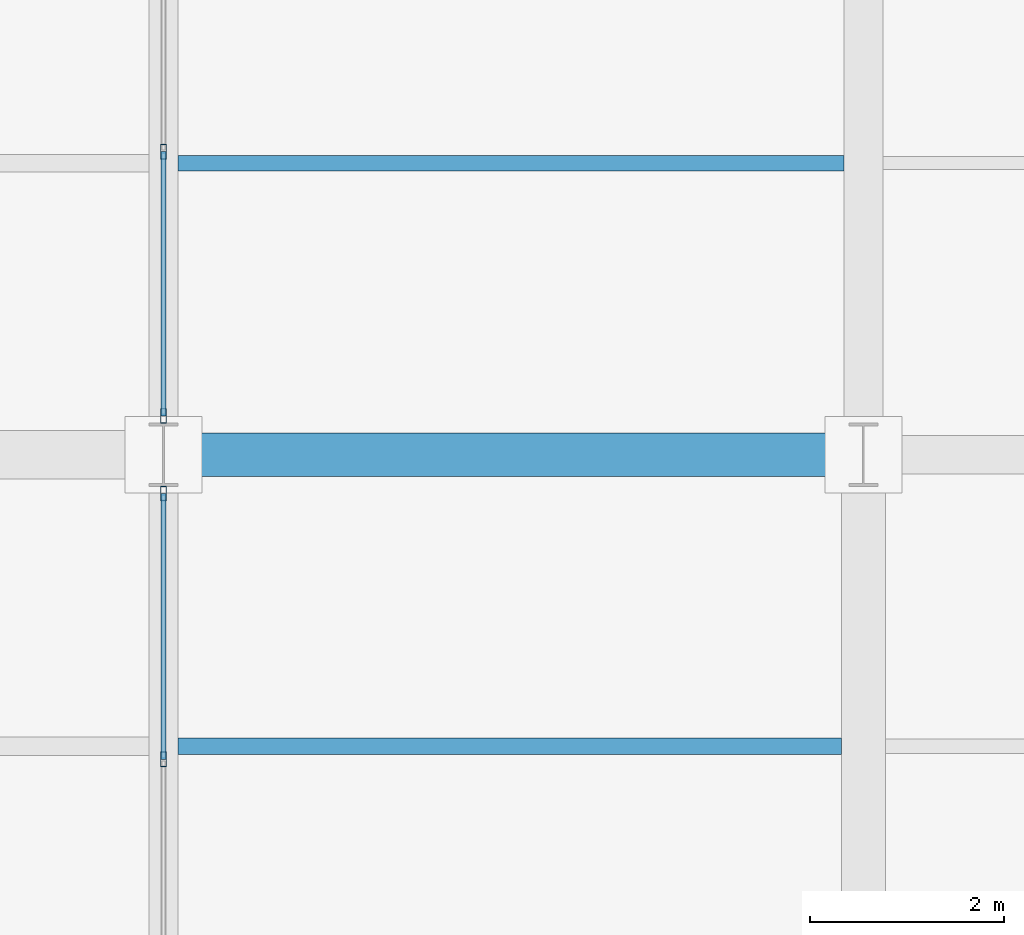
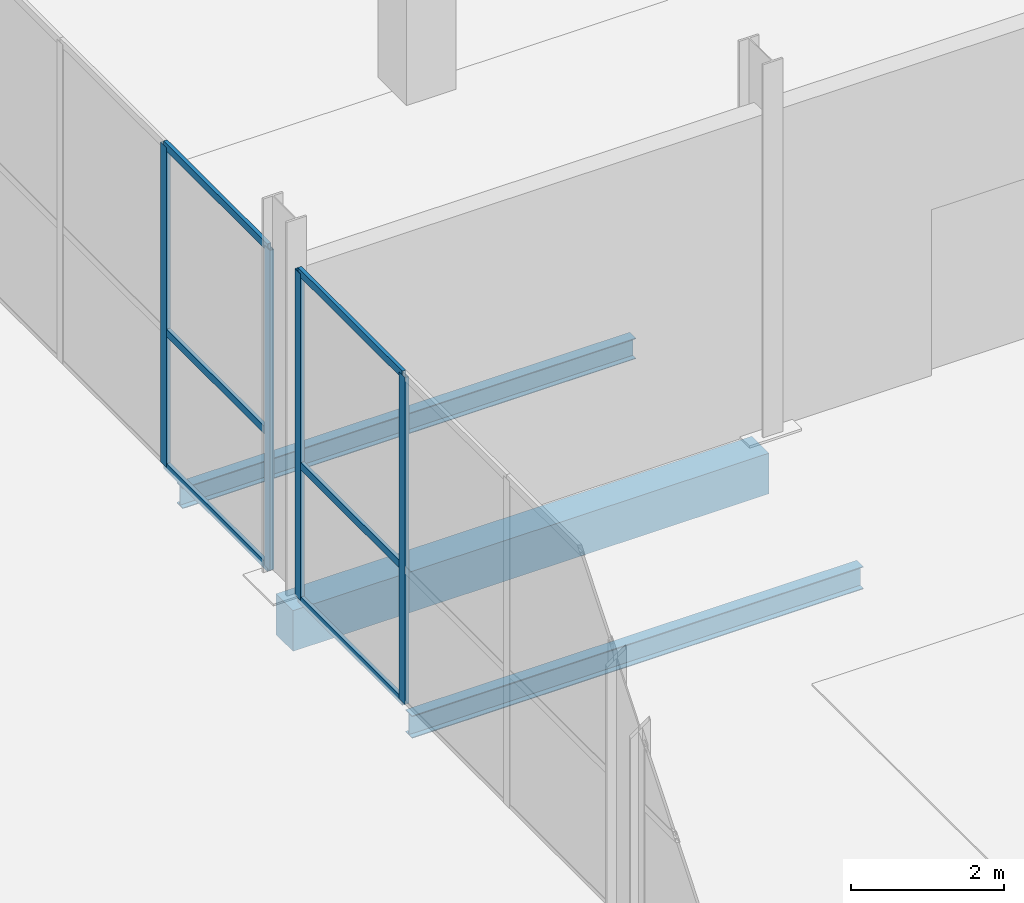
# One storey, part 50 of 144: 10 members, 3 beams, 2 elements without a shape of their own.
"""IFC4 building model written with IfcOpenShell, lengths in metres."""

from ifc_helpers import new_model, si_unit, direction, frame, origin, origin_2d, place, context, subcontext, project, spatial, rectangle, hollow_rectangle, i_section, extrude, material, layer, layer_set, material_profile, profile_set, type_object, element, aggregate, save


model = new_model("IFC4")

# Units and contexts
model_context = context("Model", 3, precision=1e-05, world=origin(), true_north=direction((0.0, 1.0)))
body_context = subcontext(model_context, "Body", "Model", "MODEL_VIEW")
ifc_project = project(units=[si_unit("LENGTHUNIT", "METRE"), si_unit("AREAUNIT", "SQUARE_METRE"), si_unit("VOLUMEUNIT", "CUBIC_METRE"), si_unit("PLANEANGLEUNIT", "RADIAN"), si_unit("MASSUNIT", "GRAM", prefix="KILO")], contexts=[model_context])

# Site, building, storey
site_placement = place(None, origin())
site = spatial("IfcSite", under=ifc_project, at=site_placement, CompositionType="ELEMENT")
building_placement = place(site_placement, origin())
building = spatial("IfcBuilding", under=site, at=building_placement, Name="Sundgate Opera House", CompositionType="ELEMENT")
storey_placement = place(building_placement, origin())
storey = spatial("IfcBuildingStorey", under=building, at=storey_placement, Name="L00", CompositionType="ELEMENT", Elevation=0.0)

# Beams
ifc_material_1 = material(Name="Steel S355J2", Category="steel")
ifc_material_profile_1 = material_profile(ifc_material_1, i_section(OverallWidth=0.159912109375, OverallDepth=0.330078125, WebThickness=0.007568359375, FlangeThickness=0.011474609375, at=origin_2d()), Name="IPE 330")
ifc_profile_set_1 = profile_set([ifc_material_profile_1], Name="Steel S355J2")
beam_type_1 = type_object("IfcBeamType", Name="BM-JS-IPE330", PredefinedType="JOIST", material=ifc_profile_set_1)
beam_1_placement = place(storey_placement, frame((95.550048828125, 63.0, -0.485107421875), z_axis=(1.0, 0.0, 0.0), x_axis=(0.0, 1.0, 0.0)))
element("IfcBeam", 1, at=beam_1_placement, inside=storey, type_object=beam_type_1, Name="L00 Secondary Floor Joist B0822", PredefinedType="JOIST", context=body_context, shape_type="SweptSolid", body=[
    extrude(i_section(OverallWidth=0.159912109375, OverallDepth=0.330078125, WebThickness=0.007568359375, FlangeThickness=0.011474609375, at=origin_2d()), origin(), (0.0, 0.0, 1.0), 6.849853515625),
])
ifc_material_2 = material(Name="Steel S355J2", Category="steel")
ifc_material_profile_2 = material_profile(ifc_material_2, i_section(OverallWidth=0.169921875, OverallDepth=0.360107421875, WebThickness=0.008056640625, FlangeThickness=0.0126953125, at=origin_2d()), Name="IPE 360")
ifc_profile_set_2 = profile_set([ifc_material_profile_2], Name="Steel S355J2")
beam_type_2 = type_object("IfcBeamType", Name="BM-JS-IPE360", PredefinedType="JOIST", material=ifc_profile_set_2)
beam_2_placement = place(storey_placement, frame((95.550048828125, 57.0, -0.5), z_axis=(1.0, 0.0, 0.0), x_axis=(0.0, 1.0, 0.0)))
element("IfcBeam", 2, at=beam_2_placement, inside=storey, type_object=beam_type_2, Name="L00 Secondary Floor Joist B0793", PredefinedType="JOIST", context=body_context, shape_type="SweptSolid", body=[
    extrude(i_section(OverallWidth=0.169921875, OverallDepth=0.360107421875, WebThickness=0.008056640625, FlangeThickness=0.0126953125, at=origin_2d()), origin(), (0.0, 0.0, 1.0), 6.824951171875),
])
ifc_material_3 = material(Name="Concrete C35/45", Category="concrete")
ifc_material_profile_3 = material_profile(ifc_material_3, rectangle(XDim=0.449951171875, YDim=0.64990234375, at=origin_2d()), Name="RC 450x650")
ifc_profile_set_3 = profile_set([ifc_material_profile_3], Name="Concrete C35/45")
beam_type_3 = type_object("IfcBeamType", Name="BM-RC-450x650", PredefinedType="BEAM", material=ifc_profile_set_3)
beam_3_placement = place(storey_placement, frame((95.39990234375, 60.0, -0.64501953125), z_axis=(1.0, 0.0, 0.0), x_axis=(0.0, 1.0, 0.0)))
element("IfcBeam", 3, at=beam_3_placement, inside=storey, type_object=beam_type_3, Name="L00 Primary E-W Girder B0451", PredefinedType="BEAM", context=body_context, shape_type="SweptSolid", body=[
    extrude(rectangle(XDim=0.449951171875, YDim=0.64990234375, at=origin_2d()), origin(), (0.0, 0.0, 1.0), 7.2001953125),
])

# Curtain wall, members
ifc_material_4 = material(Name="Anodized aluminium and low-iron glass", Category="aluminium")
ifc_layer = layer(ifc_material_4, 0.159912109375)
ifc_layer_set = layer_set([ifc_layer], Name="Anodized aluminium and low-iron glass")
curtain_wall_type = type_object("IfcCurtainWallType", Name="CW-STUDIO-DARK", PredefinedType="NOTDEFINED", material=ifc_layer_set)
curtain_wall_1_placement = place(storey_placement, origin())
curtain_wall_1 = element("IfcCurtainWall", 4, at=curtain_wall_1_placement, inside=storey, type_object=curtain_wall_type, Name="L00 Curtain Wall CW030", PredefinedType="NOTDEFINED")
ifc_material_5 = material(Name="Anodized aluminium EN AW-6063", Category="aluminium")
ifc_material_profile_4 = material_profile(ifc_material_5, hollow_rectangle(XDim=0.06005859375, YDim=0.14990234375, WallThickness=0.00390625, at=origin_2d()), Name="CWM 150x60x4")
ifc_profile_set_4 = profile_set([ifc_material_profile_4], Name="Anodized aluminium EN AW-6063")
member_type_1 = type_object("IfcMemberType", Name="CWM-ALU-150x60", PredefinedType="MULLION", material=ifc_profile_set_4)
member_1_placement = place(storey_placement, frame((95.39990234375, 59.60009765625, 0.0), z_axis=(0.0, 0.0, 1.0), x_axis=(1.0, 0.0, 0.0)))
member_1 = element("IfcMember", 5, at=member_1_placement, type_object=member_type_1, Name="CW030 Mullion 1", PredefinedType="MULLION", context=body_context, shape_type="SweptSolid", body=[
    extrude(hollow_rectangle(XDim=0.06005859375, YDim=0.14990234375, WallThickness=0.00390625, at=origin_2d()), origin(), (0.0, 0.0, 1.0), 5.22509765625),
])
member_2_placement = place(storey_placement, frame((95.39990234375, 56.86669921875, 0.0), z_axis=(0.0, 0.0, 1.0), x_axis=(1.0, 0.0, 0.0)))
member_2 = element("IfcMember", 6, at=member_2_placement, type_object=member_type_1, Name="CW030 Mullion 2", PredefinedType="MULLION", context=body_context, shape_type="SweptSolid", body=[
    extrude(hollow_rectangle(XDim=0.06005859375, YDim=0.14990234375, WallThickness=0.00390625, at=origin_2d()), origin(), (0.0, 0.0, 1.0), 5.22509765625),
])

curtain_wall_2_placement = place(storey_placement, origin())
curtain_wall_2 = element("IfcCurtainWall", 7, at=curtain_wall_2_placement, inside=storey, type_object=curtain_wall_type, Name="L00 Curtain Wall CW032", PredefinedType="NOTDEFINED")
member_3_placement = place(storey_placement, frame((95.39990234375, 63.11669921875, 0.0), z_axis=(0.0, 0.0, 1.0), x_axis=(1.0, 0.0, 0.0)))
member_3 = element("IfcMember", 8, at=member_3_placement, type_object=member_type_1, Name="CW032 Mullion 3", PredefinedType="MULLION", context=body_context, shape_type="SweptSolid", body=[
    extrude(hollow_rectangle(XDim=0.06005859375, YDim=0.14990234375, WallThickness=0.00390625, at=origin_2d()), origin(), (0.0, 0.0, 1.0), 5.114990234375),
])
member_4_placement = place(storey_placement, frame((95.39990234375, 60.39990234375, 0.0), z_axis=(0.0, 0.0, 1.0), x_axis=(1.0, 0.0, 0.0)))
member_4 = element("IfcMember", 9, at=member_4_placement, type_object=member_type_1, Name="CW032 Mullion 4", PredefinedType="MULLION", context=body_context, shape_type="SweptSolid", body=[
    extrude(hollow_rectangle(XDim=0.06005859375, YDim=0.14990234375, WallThickness=0.00390625, at=origin_2d()), origin(), (0.0, 0.0, 1.0), 5.114990234375),
])

# Member
ifc_material_6 = material(Name="Anodized aluminium EN AW-6063", Category="aluminium")
ifc_material_profile_5 = material_profile(ifc_material_6, hollow_rectangle(XDim=0.054931640625, YDim=0.1201171875, WallThickness=0.00390625, at=origin_2d()), Name="CWT 120x55x4")
ifc_profile_set_5 = profile_set([ifc_material_profile_5], Name="Anodized aluminium EN AW-6063")
member_type_2 = type_object("IfcMemberType", Name="CWT-ALU-120x55", PredefinedType="USERDEFINED", material=ifc_profile_set_5)
member_5_placement = place(storey_placement, frame((95.39990234375, 59.60009765625, 0.0), z_axis=(0.0, -1.0, 0.0), x_axis=(1.0, 0.0, 0.0)))
member_5 = element("IfcMember", 10, at=member_5_placement, type_object=member_type_2, Name="CW030 Transom 1", ObjectType="TRANSOM", PredefinedType="USERDEFINED", context=body_context, shape_type="SweptSolid", body=[
    extrude(hollow_rectangle(XDim=0.054931640625, YDim=0.1201171875, WallThickness=0.00390625, at=origin_2d()), origin(), (0.0, 0.0, 1.0), 2.7333984375),
])

member_6_placement = place(storey_placement, frame((95.39990234375, 59.60009765625, 2.14990234375), z_axis=(0.0, -1.0, 0.0), x_axis=(1.0, 0.0, 0.0)))
member_6 = element("IfcMember", 11, at=member_6_placement, type_object=member_type_2, Name="CW030 Transom 2", ObjectType="TRANSOM", PredefinedType="USERDEFINED", context=body_context, shape_type="SweptSolid", body=[
    extrude(hollow_rectangle(XDim=0.054931640625, YDim=0.1201171875, WallThickness=0.00390625, at=origin_2d()), origin(), (0.0, 0.0, 1.0), 2.7333984375),
])

member_7_placement = place(storey_placement, frame((95.39990234375, 59.60009765625, 5.22509765625), z_axis=(0.0, -1.0, 0.0), x_axis=(1.0, 0.0, 0.0)))
member_7 = element("IfcMember", 12, at=member_7_placement, type_object=member_type_2, Name="CW030 Transom 3", ObjectType="TRANSOM", PredefinedType="USERDEFINED", context=body_context, shape_type="SweptSolid", body=[
    extrude(hollow_rectangle(XDim=0.054931640625, YDim=0.1201171875, WallThickness=0.00390625, at=origin_2d()), origin(), (0.0, 0.0, 1.0), 2.7333984375),
])

aggregate(curtain_wall_1, [member_1, member_2, member_5, member_6, member_7])

member_8_placement = place(storey_placement, frame((95.39990234375, 63.11669921875, 0.0), z_axis=(0.0, -1.0, 0.0), x_axis=(1.0, 0.0, 0.0)))
member_8 = element("IfcMember", 13, at=member_8_placement, type_object=member_type_2, Name="CW032 Transom 7", ObjectType="TRANSOM", PredefinedType="USERDEFINED", context=body_context, shape_type="SweptSolid", body=[
    extrude(hollow_rectangle(XDim=0.054931640625, YDim=0.1201171875, WallThickness=0.00390625, at=origin_2d()), origin(), (0.0, 0.0, 1.0), 2.716796875),
])

member_9_placement = place(storey_placement, frame((95.39990234375, 63.11669921875, 2.14990234375), z_axis=(0.0, -1.0, 0.0), x_axis=(1.0, 0.0, 0.0)))
member_9 = element("IfcMember", 14, at=member_9_placement, type_object=member_type_2, Name="CW032 Transom 8", ObjectType="TRANSOM", PredefinedType="USERDEFINED", context=body_context, shape_type="SweptSolid", body=[
    extrude(hollow_rectangle(XDim=0.054931640625, YDim=0.1201171875, WallThickness=0.00390625, at=origin_2d()), origin(), (0.0, 0.0, 1.0), 2.716796875),
])

member_10_placement = place(storey_placement, frame((95.39990234375, 63.11669921875, 5.114990234375), z_axis=(0.0, -1.0, 0.0), x_axis=(1.0, 0.0, 0.0)))
member_10 = element("IfcMember", 15, at=member_10_placement, type_object=member_type_2, Name="CW032 Transom 9", ObjectType="TRANSOM", PredefinedType="USERDEFINED", context=body_context, shape_type="SweptSolid", body=[
    extrude(hollow_rectangle(XDim=0.054931640625, YDim=0.1201171875, WallThickness=0.00390625, at=origin_2d()), origin(), (0.0, 0.0, 1.0), 2.716796875),
])

aggregate(curtain_wall_2, [member_3, member_4, member_8, member_9, member_10])

save(model, "model.ifc")
